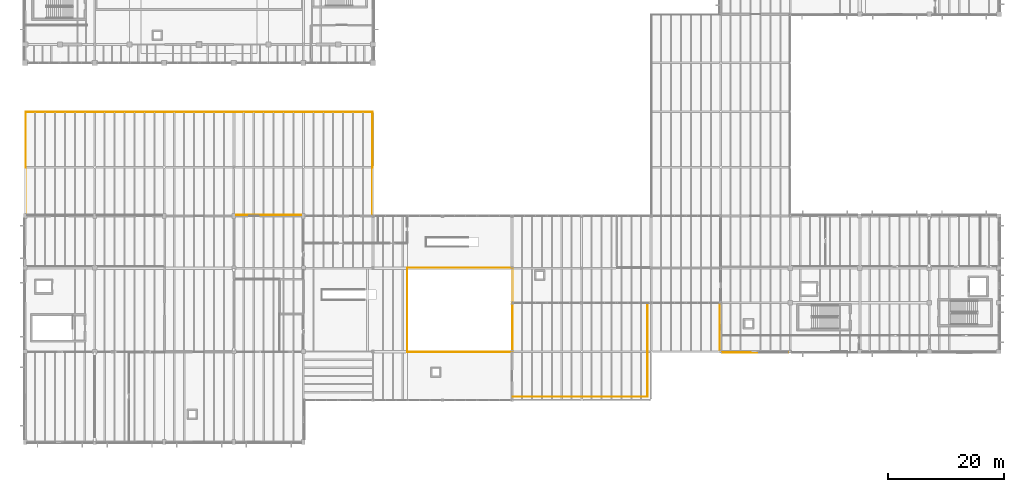
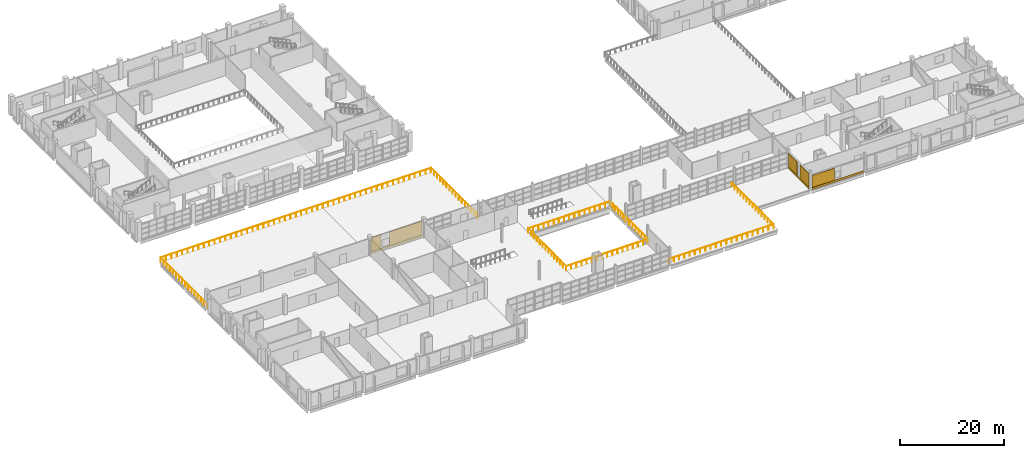
# One storey, part 66 of 78: 8 coverings, 4 railings.
"""IFC4 building model written with IfcOpenShell, lengths in metres."""

from ifc_helpers import new_model, si_unit, direction, frame, origin, origin_2d, place, context, subcontext, project, spatial, rectangle, circle, extrude, material, layer, layer_set, type_object, element, save


model = new_model("IFC4")

# Units and contexts
model_context = context("Model", 3, precision=1e-05, world=origin(), true_north=direction((0.0, 1.0)))
body_context = subcontext(model_context, "Body", "Model", "MODEL_VIEW")
ifc_project = project(units=[si_unit("LENGTHUNIT", "METRE"), si_unit("AREAUNIT", "SQUARE_METRE"), si_unit("VOLUMEUNIT", "CUBIC_METRE"), si_unit("PLANEANGLEUNIT", "RADIAN"), si_unit("MASSUNIT", "GRAM", prefix="KILO")], contexts=[model_context])

# Site, building, storey
site_placement = place(None, origin())
site = spatial("IfcSite", under=ifc_project, at=site_placement, CompositionType="ELEMENT")
building_placement = place(site_placement, origin())
building = spatial("IfcBuilding", under=site, at=building_placement, Name="Kelmvaro Bay Concert Hall", CompositionType="ELEMENT")
storey_placement = place(building_placement, frame((0.0, 0.0, 9.300048828125)))
storey = spatial("IfcBuildingStorey", under=building, at=storey_placement, Name="L02", CompositionType="ELEMENT", Elevation=9.300048828125)

# Railing
ifc_material_1 = material(Name="Architectural Bronze and Laminated Glass", Category="glass")
railing_type_1 = type_object("IfcRailingType", Name="Auditorium Balcony Acoustic Brass Guard 1120", PredefinedType="BALUSTRADE", material=ifc_material_1)
railing_1_placement = place(storey_placement, frame((84.080078125, 15.52001953125, 0.0)))
element("IfcRailing", 1, at=railing_1_placement, inside=storey, type_object=railing_type_1, Name="L02 Balcony Guard 023", PredefinedType="BALUSTRADE", context=body_context, shape_type="SweptSolid", body=[
    extrude(circle(Radius=0.02392578125, at=origin_2d()), frame((0.0, 0.0, 1.09619140625), z_axis=(-1.0, 0.0, 0.0), x_axis=(0.0, -1.0, 0.0)), (0.0, 0.0, 1.0), 18.16015625),
    extrude(circle(Radius=0.02392578125, at=origin_2d()), frame((-18.16015625, 0.0, 1.09619140625), z_axis=(0.0, 1.0, 0.0), x_axis=(-1.0, 0.0, 0.0)), (0.0, 0.0, 1.0), 14.56005859375),
    extrude(circle(Radius=0.02392578125, at=origin_2d()), frame((-18.16015625, 14.56005859375, 1.09619140625), z_axis=(1.0, 0.0, 0.0), x_axis=(0.0, 1.0, 0.0)), (0.0, 0.0, 1.0), 18.16015625),
    extrude(circle(Radius=0.02392578125, at=origin_2d()), frame((0.0, 14.56005859375, 1.09619140625), z_axis=(0.0, -1.0, 0.0), x_axis=(1.0, 0.0, 0.0)), (0.0, 0.0, 1.0), 6.030029296875),
    extrude(circle(Radius=0.02099609375, at=origin_2d()), origin(), (0.0, 0.0, 1.0), 1.072021484375),
    extrude(circle(Radius=0.02099609375, at=origin_2d()), frame((-1.135009765625, 0.0, 0.0)), (0.0, 0.0, 1.0), 1.072021484375),
    extrude(circle(Radius=0.02099609375, at=origin_2d()), frame((-2.27001953125, 0.0, 0.0)), (0.0, 0.0, 1.0), 1.072021484375),
    extrude(circle(Radius=0.02099609375, at=origin_2d()), frame((-3.405029296875, 0.0, 0.0)), (0.0, 0.0, 1.0), 1.072021484375),
    extrude(circle(Radius=0.02099609375, at=origin_2d()), frame((-4.5400390625, 0.0, 0.0)), (0.0, 0.0, 1.0), 1.072021484375),
    extrude(circle(Radius=0.02099609375, at=origin_2d()), frame((-5.675048828125, 0.0, 0.0)), (0.0, 0.0, 1.0), 1.072021484375),
    extrude(circle(Radius=0.02099609375, at=origin_2d()), frame((-6.81005859375, 0.0, 0.0)), (0.0, 0.0, 1.0), 1.072021484375),
    extrude(circle(Radius=0.02099609375, at=origin_2d()), frame((-7.945068359375, 0.0, 0.0)), (0.0, 0.0, 1.0), 1.072021484375),
    extrude(circle(Radius=0.02099609375, at=origin_2d()), frame((-9.080078125, 0.0, 0.0)), (0.0, 0.0, 1.0), 1.072021484375),
    extrude(circle(Radius=0.02099609375, at=origin_2d()), frame((-10.215087890625, 0.0, 0.0)), (0.0, 0.0, 1.0), 1.072021484375),
    extrude(circle(Radius=0.02099609375, at=origin_2d()), frame((-11.35009765625, 0.0, 0.0)), (0.0, 0.0, 1.0), 1.072021484375),
    extrude(circle(Radius=0.02099609375, at=origin_2d()), frame((-12.485107421875, 0.0, 0.0)), (0.0, 0.0, 1.0), 1.072021484375),
    extrude(circle(Radius=0.02099609375, at=origin_2d()), frame((-13.6201171875, 0.0, 0.0)), (0.0, 0.0, 1.0), 1.072021484375),
    extrude(circle(Radius=0.02099609375, at=origin_2d()), frame((-14.755126953125, 0.0, 0.0)), (0.0, 0.0, 1.0), 1.072021484375),
    extrude(circle(Radius=0.02099609375, at=origin_2d()), frame((-15.89013671875, 0.0, 0.0)), (0.0, 0.0, 1.0), 1.072021484375),
    extrude(circle(Radius=0.02099609375, at=origin_2d()), frame((-17.025146484375, 0.0, 0.0)), (0.0, 0.0, 1.0), 1.072021484375),
    extrude(circle(Radius=0.02099609375, at=origin_2d()), frame((-18.16015625, 0.0, 0.0)), (0.0, 0.0, 1.0), 1.072021484375),
    extrude(circle(Radius=0.02099609375, at=origin_2d()), frame((-18.16015625, 1.1201171875, 0.0)), (0.0, 0.0, 1.0), 1.072021484375),
    extrude(circle(Radius=0.02099609375, at=origin_2d()), frame((-18.16015625, 2.239990234375, 0.0)), (0.0, 0.0, 1.0), 1.072021484375),
    extrude(circle(Radius=0.02099609375, at=origin_2d()), frame((-18.16015625, 3.360107421875, 0.0)), (0.0, 0.0, 1.0), 1.072021484375),
    extrude(circle(Radius=0.02099609375, at=origin_2d()), frame((-18.16015625, 4.47998046875, 0.0)), (0.0, 0.0, 1.0), 1.072021484375),
    extrude(circle(Radius=0.02099609375, at=origin_2d()), frame((-18.16015625, 5.60009765625, 0.0)), (0.0, 0.0, 1.0), 1.072021484375),
    extrude(circle(Radius=0.02099609375, at=origin_2d()), frame((-18.16015625, 6.719970703125, 0.0)), (0.0, 0.0, 1.0), 1.072021484375),
    extrude(circle(Radius=0.02099609375, at=origin_2d()), frame((-18.16015625, 7.840087890625, 0.0)), (0.0, 0.0, 1.0), 1.072021484375),
    extrude(circle(Radius=0.02099609375, at=origin_2d()), frame((-18.16015625, 8.9599609375, 0.0)), (0.0, 0.0, 1.0), 1.072021484375),
    extrude(circle(Radius=0.02099609375, at=origin_2d()), frame((-18.16015625, 10.080078125, 0.0)), (0.0, 0.0, 1.0), 1.072021484375),
    extrude(circle(Radius=0.02099609375, at=origin_2d()), frame((-18.16015625, 11.199951171875, 0.0)), (0.0, 0.0, 1.0), 1.072021484375),
    extrude(circle(Radius=0.02099609375, at=origin_2d()), frame((-18.16015625, 12.320068359375, 0.0)), (0.0, 0.0, 1.0), 1.072021484375),
    extrude(circle(Radius=0.02099609375, at=origin_2d()), frame((-18.16015625, 13.43994140625, 0.0)), (0.0, 0.0, 1.0), 1.072021484375),
    extrude(circle(Radius=0.02099609375, at=origin_2d()), frame((-18.16015625, 14.56005859375, 0.0)), (0.0, 0.0, 1.0), 1.072021484375),
    extrude(circle(Radius=0.02099609375, at=origin_2d()), frame((-17.025146484375, 14.56005859375, 0.0)), (0.0, 0.0, 1.0), 1.072021484375),
    extrude(circle(Radius=0.02099609375, at=origin_2d()), frame((-15.89013671875, 14.56005859375, 0.0)), (0.0, 0.0, 1.0), 1.072021484375),
    extrude(circle(Radius=0.02099609375, at=origin_2d()), frame((-14.755126953125, 14.56005859375, 0.0)), (0.0, 0.0, 1.0), 1.072021484375),
    extrude(circle(Radius=0.02099609375, at=origin_2d()), frame((-13.6201171875, 14.56005859375, 0.0)), (0.0, 0.0, 1.0), 1.072021484375),
    extrude(circle(Radius=0.02099609375, at=origin_2d()), frame((-12.485107421875, 14.56005859375, 0.0)), (0.0, 0.0, 1.0), 1.072021484375),
    extrude(circle(Radius=0.02099609375, at=origin_2d()), frame((-11.35009765625, 14.56005859375, 0.0)), (0.0, 0.0, 1.0), 1.072021484375),
    extrude(circle(Radius=0.02099609375, at=origin_2d()), frame((-10.215087890625, 14.56005859375, 0.0)), (0.0, 0.0, 1.0), 1.072021484375),
    extrude(circle(Radius=0.02099609375, at=origin_2d()), frame((-9.080078125, 14.56005859375, 0.0)), (0.0, 0.0, 1.0), 1.072021484375),
    extrude(circle(Radius=0.02099609375, at=origin_2d()), frame((-7.945068359375, 14.56005859375, 0.0)), (0.0, 0.0, 1.0), 1.072021484375),
    extrude(circle(Radius=0.02099609375, at=origin_2d()), frame((-6.81005859375, 14.56005859375, 0.0)), (0.0, 0.0, 1.0), 1.072021484375),
    extrude(circle(Radius=0.02099609375, at=origin_2d()), frame((-5.675048828125, 14.56005859375, 0.0)), (0.0, 0.0, 1.0), 1.072021484375),
    extrude(circle(Radius=0.02099609375, at=origin_2d()), frame((-4.5400390625, 14.56005859375, 0.0)), (0.0, 0.0, 1.0), 1.072021484375),
    extrude(circle(Radius=0.02099609375, at=origin_2d()), frame((-3.405029296875, 14.56005859375, 0.0)), (0.0, 0.0, 1.0), 1.072021484375),
    extrude(circle(Radius=0.02099609375, at=origin_2d()), frame((-2.27001953125, 14.56005859375, 0.0)), (0.0, 0.0, 1.0), 1.072021484375),
    extrude(circle(Radius=0.02099609375, at=origin_2d()), frame((-1.135009765625, 14.56005859375, 0.0)), (0.0, 0.0, 1.0), 1.072021484375),
    extrude(circle(Radius=0.02099609375, at=origin_2d()), frame((0.0, 14.56005859375, 0.0)), (0.0, 0.0, 1.0), 1.072021484375),
    extrude(circle(Radius=0.02099609375, at=origin_2d()), frame((0.0, 13.55517578125, 0.0)), (0.0, 0.0, 1.0), 1.072021484375),
    extrude(circle(Radius=0.02099609375, at=origin_2d()), frame((0.0, 12.550048828125, 0.0)), (0.0, 0.0, 1.0), 1.072021484375),
    extrude(circle(Radius=0.02099609375, at=origin_2d()), frame((0.0, 11.544921875, 0.0)), (0.0, 0.0, 1.0), 1.072021484375),
    extrude(circle(Radius=0.02099609375, at=origin_2d()), frame((0.0, 10.5400390625, 0.0)), (0.0, 0.0, 1.0), 1.072021484375),
    extrude(circle(Radius=0.02099609375, at=origin_2d()), frame((0.0, 9.53515625, 0.0)), (0.0, 0.0, 1.0), 1.072021484375),
    extrude(circle(Radius=0.02099609375, at=origin_2d()), frame((0.0, 8.530029296875, 0.0)), (0.0, 0.0, 1.0), 1.072021484375),
])

# Coverings
ifc_material_2 = material(Name="Honed Florida Limestone Travertine", Category="masonry")
ifc_layer = layer(ifc_material_2, 0.054931640625)
ifc_layer_set = layer_set([ifc_layer], Name="Honed Florida Limestone Travertine")
covering_type = type_object("IfcCoveringType", Name="Honed Florida Travertine Rainscreen Cladding 55", PredefinedType="CLADDING", material=ifc_layer_set)
covering_1_placement = place(storey_placement, frame((42.0, 39.1455078125, 0.0400390625), z_axis=(0.0, 0.0, 1.0), x_axis=(1.0, 0.0, 0.0)))
element("IfcCovering", 2, at=covering_1_placement, inside=storey, type_object=covering_type, Name="L02 Travertine Sill Band 0591", PredefinedType="CLADDING", context=body_context, shape_type="SweptSolid", body=[
    extrude(rectangle(XDim=11.280029296875, YDim=0.054931640625, at=origin_2d()), origin(), (0.0, 0.0, 1.0), 0.4599609375),
])
covering_2_placement = place(storey_placement, frame((37.473388671875, 39.1455078125, 0.52001953125), z_axis=(0.0, 0.0, 1.0), x_axis=(1.0, 0.0, 0.0)))
element("IfcCovering", 3, at=covering_2_placement, inside=storey, type_object=covering_type, Name="L02 Travertine Pier Panel 0592", PredefinedType="CLADDING", context=body_context, shape_type="SweptSolid", body=[
    extrude(rectangle(XDim=2.18701171875, YDim=0.054931640625, at=origin_2d()), origin(), (0.0, 0.0, 1.0), 3.29296875),
])
covering_3_placement = place(storey_placement, frame((44.0185546875, 39.1455078125, 0.52001953125), z_axis=(0.0, 0.0, 1.0), x_axis=(1.0, 0.0, 0.0)))
element("IfcCovering", 4, at=covering_3_placement, inside=storey, type_object=covering_type, Name="L02 Travertine Pier Panel 0593", PredefinedType="CLADDING", context=body_context, shape_type="SweptSolid", body=[
    extrude(rectangle(XDim=7.202880859375, YDim=0.054931640625, at=origin_2d()), origin(), (0.0, 0.0, 1.0), 3.29296875),
])
covering_4_placement = place(storey_placement, frame((125.937744140625, 15.4345703125, 0.0400390625), z_axis=(0.0, 0.0, 1.0), x_axis=(-1.0, 0.0, 0.0)))
element("IfcCovering", 5, at=covering_4_placement, inside=storey, type_object=covering_type, Name="L02 Travertine Sill Band 0750", PredefinedType="CLADDING", context=body_context, shape_type="SweptSolid", body=[
    extrude(rectangle(XDim=11.35498046875, YDim=0.054931640625, at=origin_2d()), origin(), (0.0, 0.0, 1.0), 0.4599609375),
])
covering_5_placement = place(storey_placement, frame((122.759033203125, 15.4345703125, 0.52001953125), z_axis=(0.0, 0.0, 1.0), x_axis=(-1.0, 0.0, 0.0)))
element("IfcCovering", 6, at=covering_5_placement, inside=storey, type_object=covering_type, Name="L02 Travertine Pier Panel 0752", PredefinedType="CLADDING", context=body_context, shape_type="SweptSolid", body=[
    extrude(rectangle(XDim=4.95703125, YDim=0.054931640625, at=origin_2d()), origin(), (0.0, 0.0, 1.0), 2.80810546875),
])
covering_6_placement = place(storey_placement, frame((119.83447265625, 19.80126953125, 0.0400390625), z_axis=(0.0, 0.0, 1.0), x_axis=(0.0, 1.0, 0.0)))
element("IfcCovering", 7, at=covering_6_placement, inside=storey, type_object=covering_type, Name="L02 Travertine Sill Band 0784", PredefinedType="CLADDING", context=body_context, shape_type="SweptSolid", body=[
    extrude(rectangle(XDim=7.884033203125, YDim=0.054931640625, at=origin_2d()), origin(), (0.0, 0.0, 1.0), 0.4599609375),
])
for number, where, z_axis, x_axis, name in (
    (8, (119.83447265625, 17.577880859375, 0.52001953125), (0.0, 0.0, 1.0), (0.0, 1.0, 0.0), "L02 Travertine Pier Panel 0785"),
    (9, (119.83447265625, 22.024658203125, 0.52001953125), (0.0, 0.0, 1.0), (0.0, 1.0, 0.0), "L02 Travertine Pier Panel 0786"),
):
    element("IfcCovering", number, at=place(storey_placement, frame(where, z_axis=z_axis, x_axis=x_axis)), inside=storey, type_object=covering_type, Name=name, PredefinedType="CLADDING", context=body_context, shape_type="SweptSolid", body=[
        extrude(rectangle(XDim=3.39697265625, YDim=0.054931640625, at=origin_2d()), origin(), (0.0, 0.0, 1.0), 3.18408203125),
    ])

# Railings
ifc_material_3 = material(Name="Stainless Steel 316 and Laminated Glass", Category="steel")
railing_type_2 = type_object("IfcRailingType", Name="Waterfront Terrace Laminated Glass Guard 1100", PredefinedType="BALUSTRADE", material=ifc_material_3)
railing_2_placement = place(storey_placement, frame((0.080078125, 39.1201171875, 0.0)))
element("IfcRailing", 10, at=railing_2_placement, inside=storey, type_object=railing_type_2, Name="L02 Terrace Guard 004", PredefinedType="BALUSTRADE", context=body_context, shape_type="SweptSolid", body=[
    extrude(circle(Radius=0.02392578125, at=origin_2d()), frame((0.0, 0.0, 1.076171875), z_axis=(0.0, 1.0, 0.0), x_axis=(-1.0, 0.0, 0.0)), (0.0, 0.0, 1.0), 17.7998046875),
    extrude(circle(Radius=0.02392578125, at=origin_2d()), frame((0.0, 17.7998046875, 1.076171875), z_axis=(1.0, 0.0, 0.0), x_axis=(0.0, 1.0, 0.0)), (0.0, 0.0, 1.0), 59.83984375),
    extrude(circle(Radius=0.02392578125, at=origin_2d()), frame((59.83984375, 17.7998046875, 1.076171875), z_axis=(0.0, -1.0, 0.0), x_axis=(1.0, 0.0, 0.0)), (0.0, 0.0, 1.0), 17.7998046875),
    extrude(circle(Radius=0.02099609375, at=origin_2d()), origin(), (0.0, 0.0, 1.0), 1.052001953125),
    extrude(circle(Radius=0.02099609375, at=origin_2d()), frame((0.0, 1.186767578125, 0.0)), (0.0, 0.0, 1.0), 1.052001953125),
    extrude(circle(Radius=0.02099609375, at=origin_2d()), frame((0.0, 2.373291015625, 0.0)), (0.0, 0.0, 1.0), 1.052001953125),
    extrude(circle(Radius=0.02099609375, at=origin_2d()), frame((0.0, 3.56005859375, 0.0)), (0.0, 0.0, 1.0), 1.052001953125),
    extrude(circle(Radius=0.02099609375, at=origin_2d()), frame((0.0, 4.74658203125, 0.0)), (0.0, 0.0, 1.0), 1.052001953125),
    extrude(circle(Radius=0.02099609375, at=origin_2d()), frame((0.0, 5.933349609375, 0.0)), (0.0, 0.0, 1.0), 1.052001953125),
    extrude(circle(Radius=0.02099609375, at=origin_2d()), frame((0.0, 7.119873046875, 0.0)), (0.0, 0.0, 1.0), 1.052001953125),
    extrude(circle(Radius=0.02099609375, at=origin_2d()), frame((0.0, 8.306640625, 0.0)), (0.0, 0.0, 1.0), 1.052001953125),
    extrude(circle(Radius=0.02099609375, at=origin_2d()), frame((0.0, 9.4931640625, 0.0)), (0.0, 0.0, 1.0), 1.052001953125),
    extrude(circle(Radius=0.02099609375, at=origin_2d()), frame((0.0, 10.679931640625, 0.0)), (0.0, 0.0, 1.0), 1.052001953125),
    extrude(circle(Radius=0.02099609375, at=origin_2d()), frame((0.0, 11.866455078125, 0.0)), (0.0, 0.0, 1.0), 1.052001953125),
    extrude(circle(Radius=0.02099609375, at=origin_2d()), frame((0.0, 13.05322265625, 0.0)), (0.0, 0.0, 1.0), 1.052001953125),
    extrude(circle(Radius=0.02099609375, at=origin_2d()), frame((0.0, 14.23974609375, 0.0)), (0.0, 0.0, 1.0), 1.052001953125),
    extrude(circle(Radius=0.02099609375, at=origin_2d()), frame((0.0, 15.426513671875, 0.0)), (0.0, 0.0, 1.0), 1.052001953125),
    extrude(circle(Radius=0.02099609375, at=origin_2d()), frame((0.0, 16.613037109375, 0.0)), (0.0, 0.0, 1.0), 1.052001953125),
    extrude(circle(Radius=0.02099609375, at=origin_2d()), frame((0.0, 17.7998046875, 0.0)), (0.0, 0.0, 1.0), 1.052001953125),
    extrude(circle(Radius=0.02099609375, at=origin_2d()), frame((1.19677734375, 17.7998046875, 0.0)), (0.0, 0.0, 1.0), 1.052001953125),
    extrude(circle(Radius=0.02099609375, at=origin_2d()), frame((2.3935546875, 17.7998046875, 0.0)), (0.0, 0.0, 1.0), 1.052001953125),
    extrude(circle(Radius=0.02099609375, at=origin_2d()), frame((3.59033203125, 17.7998046875, 0.0)), (0.0, 0.0, 1.0), 1.052001953125),
    extrude(circle(Radius=0.02099609375, at=origin_2d()), frame((4.787109375, 17.7998046875, 0.0)), (0.0, 0.0, 1.0), 1.052001953125),
    extrude(circle(Radius=0.02099609375, at=origin_2d()), frame((5.98388671875, 17.7998046875, 0.0)), (0.0, 0.0, 1.0), 1.052001953125),
    extrude(circle(Radius=0.02099609375, at=origin_2d()), frame((7.1806640625, 17.7998046875, 0.0)), (0.0, 0.0, 1.0), 1.052001953125),
    extrude(circle(Radius=0.02099609375, at=origin_2d()), frame((8.377685546875, 17.7998046875, 0.0)), (0.0, 0.0, 1.0), 1.052001953125),
    extrude(circle(Radius=0.02099609375, at=origin_2d()), frame((9.574462890625, 17.7998046875, 0.0)), (0.0, 0.0, 1.0), 1.052001953125),
    extrude(circle(Radius=0.02099609375, at=origin_2d()), frame((10.771240234375, 17.7998046875, 0.0)), (0.0, 0.0, 1.0), 1.052001953125),
    extrude(circle(Radius=0.02099609375, at=origin_2d()), frame((11.968017578125, 17.7998046875, 0.0)), (0.0, 0.0, 1.0), 1.052001953125),
    extrude(circle(Radius=0.02099609375, at=origin_2d()), frame((13.164794921875, 17.7998046875, 0.0)), (0.0, 0.0, 1.0), 1.052001953125),
    extrude(circle(Radius=0.02099609375, at=origin_2d()), frame((14.361572265625, 17.7998046875, 0.0)), (0.0, 0.0, 1.0), 1.052001953125),
    extrude(circle(Radius=0.02099609375, at=origin_2d()), frame((15.558349609375, 17.7998046875, 0.0)), (0.0, 0.0, 1.0), 1.052001953125),
    extrude(circle(Radius=0.02099609375, at=origin_2d()), frame((16.755126953125, 17.7998046875, 0.0)), (0.0, 0.0, 1.0), 1.052001953125),
    extrude(circle(Radius=0.02099609375, at=origin_2d()), frame((17.951904296875, 17.7998046875, 0.0)), (0.0, 0.0, 1.0), 1.052001953125),
    extrude(circle(Radius=0.02099609375, at=origin_2d()), frame((19.148681640625, 17.7998046875, 0.0)), (0.0, 0.0, 1.0), 1.052001953125),
    extrude(circle(Radius=0.02099609375, at=origin_2d()), frame((20.345458984375, 17.7998046875, 0.0)), (0.0, 0.0, 1.0), 1.052001953125),
    extrude(circle(Radius=0.02099609375, at=origin_2d()), frame((21.542236328125, 17.7998046875, 0.0)), (0.0, 0.0, 1.0), 1.052001953125),
    extrude(circle(Radius=0.02099609375, at=origin_2d()), frame((22.7392578125, 17.7998046875, 0.0)), (0.0, 0.0, 1.0), 1.052001953125),
    extrude(circle(Radius=0.02099609375, at=origin_2d()), frame((23.93603515625, 17.7998046875, 0.0)), (0.0, 0.0, 1.0), 1.052001953125),
    extrude(circle(Radius=0.02099609375, at=origin_2d()), frame((25.1328125, 17.7998046875, 0.0)), (0.0, 0.0, 1.0), 1.052001953125),
    extrude(circle(Radius=0.02099609375, at=origin_2d()), frame((26.32958984375, 17.7998046875, 0.0)), (0.0, 0.0, 1.0), 1.052001953125),
    extrude(circle(Radius=0.02099609375, at=origin_2d()), frame((27.5263671875, 17.7998046875, 0.0)), (0.0, 0.0, 1.0), 1.052001953125),
    extrude(circle(Radius=0.02099609375, at=origin_2d()), frame((28.72314453125, 17.7998046875, 0.0)), (0.0, 0.0, 1.0), 1.052001953125),
    extrude(circle(Radius=0.02099609375, at=origin_2d()), frame((29.919921875, 17.7998046875, 0.0)), (0.0, 0.0, 1.0), 1.052001953125),
    extrude(circle(Radius=0.02099609375, at=origin_2d()), frame((31.11669921875, 17.7998046875, 0.0)), (0.0, 0.0, 1.0), 1.052001953125),
    extrude(circle(Radius=0.02099609375, at=origin_2d()), frame((32.3134765625, 17.7998046875, 0.0)), (0.0, 0.0, 1.0), 1.052001953125),
    extrude(circle(Radius=0.02099609375, at=origin_2d()), frame((33.51025390625, 17.7998046875, 0.0)), (0.0, 0.0, 1.0), 1.052001953125),
    extrude(circle(Radius=0.02099609375, at=origin_2d()), frame((34.70703125, 17.7998046875, 0.0)), (0.0, 0.0, 1.0), 1.052001953125),
    extrude(circle(Radius=0.02099609375, at=origin_2d()), frame((35.90380859375, 17.7998046875, 0.0)), (0.0, 0.0, 1.0), 1.052001953125),
    extrude(circle(Radius=0.02099609375, at=origin_2d()), frame((37.1005859375, 17.7998046875, 0.0)), (0.0, 0.0, 1.0), 1.052001953125),
    extrude(circle(Radius=0.02099609375, at=origin_2d()), frame((38.297607421875, 17.7998046875, 0.0)), (0.0, 0.0, 1.0), 1.052001953125),
    extrude(circle(Radius=0.02099609375, at=origin_2d()), frame((39.494384765625, 17.7998046875, 0.0)), (0.0, 0.0, 1.0), 1.052001953125),
    extrude(circle(Radius=0.02099609375, at=origin_2d()), frame((40.691162109375, 17.7998046875, 0.0)), (0.0, 0.0, 1.0), 1.052001953125),
    extrude(circle(Radius=0.02099609375, at=origin_2d()), frame((41.887939453125, 17.7998046875, 0.0)), (0.0, 0.0, 1.0), 1.052001953125),
    extrude(circle(Radius=0.02099609375, at=origin_2d()), frame((43.084716796875, 17.7998046875, 0.0)), (0.0, 0.0, 1.0), 1.052001953125),
    extrude(circle(Radius=0.02099609375, at=origin_2d()), frame((44.281494140625, 17.7998046875, 0.0)), (0.0, 0.0, 1.0), 1.052001953125),
    extrude(circle(Radius=0.02099609375, at=origin_2d()), frame((45.478271484375, 17.7998046875, 0.0)), (0.0, 0.0, 1.0), 1.052001953125),
    extrude(circle(Radius=0.02099609375, at=origin_2d()), frame((46.675048828125, 17.7998046875, 0.0)), (0.0, 0.0, 1.0), 1.052001953125),
    extrude(circle(Radius=0.02099609375, at=origin_2d()), frame((47.871826171875, 17.7998046875, 0.0)), (0.0, 0.0, 1.0), 1.052001953125),
    extrude(circle(Radius=0.02099609375, at=origin_2d()), frame((49.068603515625, 17.7998046875, 0.0)), (0.0, 0.0, 1.0), 1.052001953125),
    extrude(circle(Radius=0.02099609375, at=origin_2d()), frame((50.265380859375, 17.7998046875, 0.0)), (0.0, 0.0, 1.0), 1.052001953125),
    extrude(circle(Radius=0.02099609375, at=origin_2d()), frame((51.462158203125, 17.7998046875, 0.0)), (0.0, 0.0, 1.0), 1.052001953125),
    extrude(circle(Radius=0.02099609375, at=origin_2d()), frame((52.6591796875, 17.7998046875, 0.0)), (0.0, 0.0, 1.0), 1.052001953125),
    extrude(circle(Radius=0.02099609375, at=origin_2d()), frame((53.85595703125, 17.7998046875, 0.0)), (0.0, 0.0, 1.0), 1.052001953125),
    extrude(circle(Radius=0.02099609375, at=origin_2d()), frame((55.052734375, 17.7998046875, 0.0)), (0.0, 0.0, 1.0), 1.052001953125),
    extrude(circle(Radius=0.02099609375, at=origin_2d()), frame((56.24951171875, 17.7998046875, 0.0)), (0.0, 0.0, 1.0), 1.052001953125),
    extrude(circle(Radius=0.02099609375, at=origin_2d()), frame((57.4462890625, 17.7998046875, 0.0)), (0.0, 0.0, 1.0), 1.052001953125),
    extrude(circle(Radius=0.02099609375, at=origin_2d()), frame((58.64306640625, 17.7998046875, 0.0)), (0.0, 0.0, 1.0), 1.052001953125),
    extrude(circle(Radius=0.02099609375, at=origin_2d()), frame((59.83984375, 17.7998046875, 0.0)), (0.0, 0.0, 1.0), 1.052001953125),
    extrude(circle(Radius=0.02099609375, at=origin_2d()), frame((59.83984375, 16.613037109375, 0.0)), (0.0, 0.0, 1.0), 1.052001953125),
    extrude(circle(Radius=0.02099609375, at=origin_2d()), frame((59.83984375, 15.426513671875, 0.0)), (0.0, 0.0, 1.0), 1.052001953125),
    extrude(circle(Radius=0.02099609375, at=origin_2d()), frame((59.83984375, 14.23974609375, 0.0)), (0.0, 0.0, 1.0), 1.052001953125),
    extrude(circle(Radius=0.02099609375, at=origin_2d()), frame((59.83984375, 13.05322265625, 0.0)), (0.0, 0.0, 1.0), 1.052001953125),
    extrude(circle(Radius=0.02099609375, at=origin_2d()), frame((59.83984375, 11.866455078125, 0.0)), (0.0, 0.0, 1.0), 1.052001953125),
    extrude(circle(Radius=0.02099609375, at=origin_2d()), frame((59.83984375, 10.679931640625, 0.0)), (0.0, 0.0, 1.0), 1.052001953125),
    extrude(circle(Radius=0.02099609375, at=origin_2d()), frame((59.83984375, 9.4931640625, 0.0)), (0.0, 0.0, 1.0), 1.052001953125),
    extrude(circle(Radius=0.02099609375, at=origin_2d()), frame((59.83984375, 8.306640625, 0.0)), (0.0, 0.0, 1.0), 1.052001953125),
    extrude(circle(Radius=0.02099609375, at=origin_2d()), frame((59.83984375, 7.119873046875, 0.0)), (0.0, 0.0, 1.0), 1.052001953125),
    extrude(circle(Radius=0.02099609375, at=origin_2d()), frame((59.83984375, 5.933349609375, 0.0)), (0.0, 0.0, 1.0), 1.052001953125),
    extrude(circle(Radius=0.02099609375, at=origin_2d()), frame((59.83984375, 4.74658203125, 0.0)), (0.0, 0.0, 1.0), 1.052001953125),
    extrude(circle(Radius=0.02099609375, at=origin_2d()), frame((59.83984375, 3.56005859375, 0.0)), (0.0, 0.0, 1.0), 1.052001953125),
    extrude(circle(Radius=0.02099609375, at=origin_2d()), frame((59.83984375, 2.373291015625, 0.0)), (0.0, 0.0, 1.0), 1.052001953125),
    extrude(circle(Radius=0.02099609375, at=origin_2d()), frame((59.83984375, 1.186767578125, 0.0)), (0.0, 0.0, 1.0), 1.052001953125),
    extrude(circle(Radius=0.02099609375, at=origin_2d()), frame((59.83984375, 0.0, 0.0)), (0.0, 0.0, 1.0), 1.052001953125),
])
railing_3_placement = place(storey_placement, frame((84.14990234375, 7.800048828125, 0.0)))
element("IfcRailing", 11, at=railing_3_placement, inside=storey, type_object=railing_type_2, Name="L02 Terrace Guard 005", PredefinedType="BALUSTRADE", context=body_context, shape_type="SweptSolid", body=[
    extrude(circle(Radius=0.02392578125, at=origin_2d()), frame((0.0, 0.0, 1.076171875), z_axis=(1.0, 0.0, 0.0), x_axis=(0.0, 1.0, 0.0)), (0.0, 0.0, 1.0), 23.22998046875),
    extrude(circle(Radius=0.02392578125, at=origin_2d()), frame((23.22998046875, 0.0, 1.076171875), z_axis=(0.0, 1.0, 0.0), x_axis=(-1.0, 0.0, 0.0)), (0.0, 0.0, 1.0), 16.079833984375),
    extrude(circle(Radius=0.02099609375, at=origin_2d()), origin(), (0.0, 0.0, 1.0), 1.052001953125),
    extrude(circle(Radius=0.02099609375, at=origin_2d()), frame((1.16162109375, 0.0, 0.0)), (0.0, 0.0, 1.0), 1.052001953125),
    extrude(circle(Radius=0.02099609375, at=origin_2d()), frame((2.322998046875, 0.0, 0.0)), (0.0, 0.0, 1.0), 1.052001953125),
    extrude(circle(Radius=0.02099609375, at=origin_2d()), frame((3.484375, 0.0, 0.0)), (0.0, 0.0, 1.0), 1.052001953125),
    extrude(circle(Radius=0.02099609375, at=origin_2d()), frame((4.64599609375, 0.0, 0.0)), (0.0, 0.0, 1.0), 1.052001953125),
    extrude(circle(Radius=0.02099609375, at=origin_2d()), frame((5.8076171875, 0.0, 0.0)), (0.0, 0.0, 1.0), 1.052001953125),
    extrude(circle(Radius=0.02099609375, at=origin_2d()), frame((6.968994140625, 0.0, 0.0)), (0.0, 0.0, 1.0), 1.052001953125),
    extrude(circle(Radius=0.02099609375, at=origin_2d()), frame((8.13037109375, 0.0, 0.0)), (0.0, 0.0, 1.0), 1.052001953125),
    extrude(circle(Radius=0.02099609375, at=origin_2d()), frame((9.2919921875, 0.0, 0.0)), (0.0, 0.0, 1.0), 1.052001953125),
    extrude(circle(Radius=0.02099609375, at=origin_2d()), frame((10.45361328125, 0.0, 0.0)), (0.0, 0.0, 1.0), 1.052001953125),
    extrude(circle(Radius=0.02099609375, at=origin_2d()), frame((11.614990234375, 0.0, 0.0)), (0.0, 0.0, 1.0), 1.052001953125),
    extrude(circle(Radius=0.02099609375, at=origin_2d()), frame((12.776611328125, 0.0, 0.0)), (0.0, 0.0, 1.0), 1.052001953125),
    extrude(circle(Radius=0.02099609375, at=origin_2d()), frame((13.93798828125, 0.0, 0.0)), (0.0, 0.0, 1.0), 1.052001953125),
    extrude(circle(Radius=0.02099609375, at=origin_2d()), frame((15.099609375, 0.0, 0.0)), (0.0, 0.0, 1.0), 1.052001953125),
    extrude(circle(Radius=0.02099609375, at=origin_2d()), frame((16.260986328125, 0.0, 0.0)), (0.0, 0.0, 1.0), 1.052001953125),
    extrude(circle(Radius=0.02099609375, at=origin_2d()), frame((17.42236328125, 0.0, 0.0)), (0.0, 0.0, 1.0), 1.052001953125),
    extrude(circle(Radius=0.02099609375, at=origin_2d()), frame((18.583984375, 0.0, 0.0)), (0.0, 0.0, 1.0), 1.052001953125),
    extrude(circle(Radius=0.02099609375, at=origin_2d()), frame((19.74560546875, 0.0, 0.0)), (0.0, 0.0, 1.0), 1.052001953125),
    extrude(circle(Radius=0.02099609375, at=origin_2d()), frame((20.906982421875, 0.0, 0.0)), (0.0, 0.0, 1.0), 1.052001953125),
    extrude(circle(Radius=0.02099609375, at=origin_2d()), frame((22.068359375, 0.0, 0.0)), (0.0, 0.0, 1.0), 1.052001953125),
    extrude(circle(Radius=0.02099609375, at=origin_2d()), frame((23.22998046875, 0.0, 0.0)), (0.0, 0.0, 1.0), 1.052001953125),
    extrude(circle(Radius=0.02099609375, at=origin_2d()), frame((23.22998046875, 1.1484375, 0.0)), (0.0, 0.0, 1.0), 1.052001953125),
    extrude(circle(Radius=0.02099609375, at=origin_2d()), frame((23.22998046875, 2.297119140625, 0.0)), (0.0, 0.0, 1.0), 1.052001953125),
    extrude(circle(Radius=0.02099609375, at=origin_2d()), frame((23.22998046875, 3.44580078125, 0.0)), (0.0, 0.0, 1.0), 1.052001953125),
    extrude(circle(Radius=0.02099609375, at=origin_2d()), frame((23.22998046875, 4.59423828125, 0.0)), (0.0, 0.0, 1.0), 1.052001953125),
    extrude(circle(Radius=0.02099609375, at=origin_2d()), frame((23.22998046875, 5.74267578125, 0.0)), (0.0, 0.0, 1.0), 1.052001953125),
    extrude(circle(Radius=0.02099609375, at=origin_2d()), frame((23.22998046875, 6.891357421875, 0.0)), (0.0, 0.0, 1.0), 1.052001953125),
    extrude(circle(Radius=0.02099609375, at=origin_2d()), frame((23.22998046875, 8.0400390625, 0.0)), (0.0, 0.0, 1.0), 1.052001953125),
    extrude(circle(Radius=0.02099609375, at=origin_2d()), frame((23.22998046875, 9.1884765625, 0.0)), (0.0, 0.0, 1.0), 1.052001953125),
    extrude(circle(Radius=0.02099609375, at=origin_2d()), frame((23.22998046875, 10.3369140625, 0.0)), (0.0, 0.0, 1.0), 1.052001953125),
    extrude(circle(Radius=0.02099609375, at=origin_2d()), frame((23.22998046875, 11.485595703125, 0.0)), (0.0, 0.0, 1.0), 1.052001953125),
    extrude(circle(Radius=0.02099609375, at=origin_2d()), frame((23.22998046875, 12.63427734375, 0.0)), (0.0, 0.0, 1.0), 1.052001953125),
    extrude(circle(Radius=0.02099609375, at=origin_2d()), frame((23.22998046875, 13.78271484375, 0.0)), (0.0, 0.0, 1.0), 1.052001953125),
    extrude(circle(Radius=0.02099609375, at=origin_2d()), frame((23.22998046875, 14.93115234375, 0.0)), (0.0, 0.0, 1.0), 1.052001953125),
    extrude(circle(Radius=0.02099609375, at=origin_2d()), frame((23.22998046875, 16.079833984375, 0.0)), (0.0, 0.0, 1.0), 1.052001953125),
])
railing_4_placement = place(storey_placement, frame((84.080078125, 15.679931640625, 0.0)))
element("IfcRailing", 12, at=railing_4_placement, inside=storey, type_object=railing_type_2, Name="L02 Terrace Guard 006", PredefinedType="BALUSTRADE", context=body_context, shape_type="SweptSolid", body=[
    extrude(circle(Radius=0.02392578125, at=origin_2d()), frame((0.0, 0.0, 1.076171875), z_axis=(0.0, 1.0, 0.0), x_axis=(-1.0, 0.0, 0.0)), (0.0, 0.0, 1.0), 8.199951171875),
    extrude(circle(Radius=0.02099609375, at=origin_2d()), origin(), (0.0, 0.0, 1.0), 1.052001953125),
    extrude(circle(Radius=0.02099609375, at=origin_2d()), frame((0.0, 1.17138671875, 0.0)), (0.0, 0.0, 1.0), 1.052001953125),
    extrude(circle(Radius=0.02099609375, at=origin_2d()), frame((0.0, 2.3427734375, 0.0)), (0.0, 0.0, 1.0), 1.052001953125),
    extrude(circle(Radius=0.02099609375, at=origin_2d()), frame((0.0, 3.51416015625, 0.0)), (0.0, 0.0, 1.0), 1.052001953125),
    extrude(circle(Radius=0.02099609375, at=origin_2d()), frame((0.0, 4.685791015625, 0.0)), (0.0, 0.0, 1.0), 1.052001953125),
    extrude(circle(Radius=0.02099609375, at=origin_2d()), frame((0.0, 5.857177734375, 0.0)), (0.0, 0.0, 1.0), 1.052001953125),
    extrude(circle(Radius=0.02099609375, at=origin_2d()), frame((0.0, 7.028564453125, 0.0)), (0.0, 0.0, 1.0), 1.052001953125),
    extrude(circle(Radius=0.02099609375, at=origin_2d()), frame((0.0, 8.199951171875, 0.0)), (0.0, 0.0, 1.0), 1.052001953125),
])

save(model, "model.ifc")
